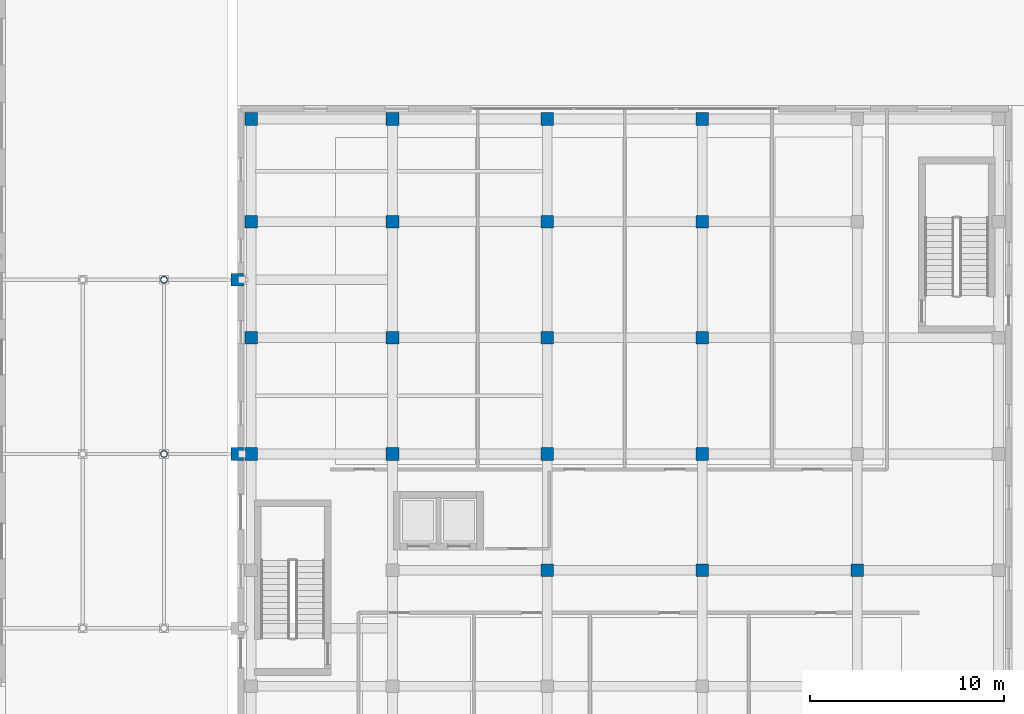
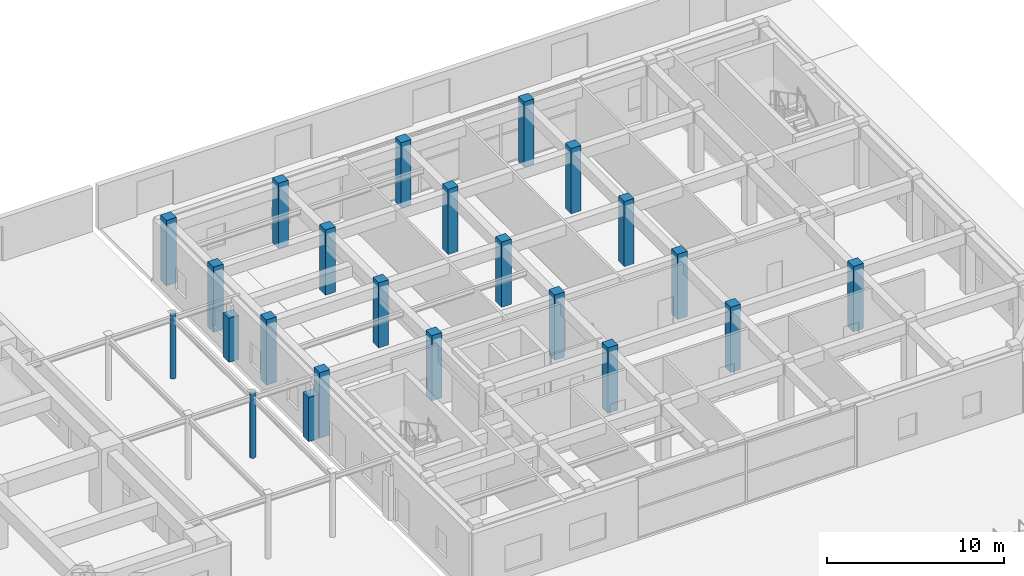
# One storey, part 6 of 39: 23 columns.
"""IFC4 building model written with IfcOpenShell, lengths in metres."""

from ifc_helpers import new_model, si_unit, direction, frame, origin, origin_2d, place, context, subcontext, project, spatial, rectangle, hollow_circle, extrude, source, transform, mapped, material, material_profile, profile_set, type_object, element, save


model = new_model("IFC4")

# Units and contexts
model_context = context("Model", 3, precision=1e-05, world=origin(), true_north=direction((0.0, 1.0)))
body_context = subcontext(model_context, "Body", "Model", "MODEL_VIEW")
ifc_project = project(units=[si_unit("LENGTHUNIT", "METRE"), si_unit("AREAUNIT", "SQUARE_METRE"), si_unit("VOLUMEUNIT", "CUBIC_METRE"), si_unit("PLANEANGLEUNIT", "RADIAN"), si_unit("MASSUNIT", "GRAM", prefix="KILO")], contexts=[model_context])

# Site, building, storey
site_placement = place(None, origin())
site = spatial("IfcSite", under=ifc_project, at=site_placement, CompositionType="ELEMENT")
building_placement = place(site_placement, origin())
building = spatial("IfcBuilding", under=site, at=building_placement, Name="Khoralis Quay Care Tower", CompositionType="ELEMENT")
storey_placement = place(building_placement, origin())
storey = spatial("IfcBuildingStorey", under=building, at=storey_placement, Name="L00", CompositionType="ELEMENT", Elevation=0.0)

# Columns
ifc_material_1 = material(Name="Steel S355", Category="steel")
ifc_material_profile_1 = material_profile(ifc_material_1, hollow_circle(Radius=0.177734375, WallThickness=0.01611328125, at=origin_2d()), Name="Steel S355")
ifc_profile_set_1 = profile_set([ifc_material_profile_1], Name="Steel S355")
column_type_1 = type_object("IfcColumnType", Name="COL-CN-CHS355", PredefinedType="COLUMN", material=ifc_profile_set_1)
shared_shape_1 = source(origin(), body_context, "Body", "SweptSolid", [
    extrude(hollow_circle(Radius=0.177734375, WallThickness=0.01611328125, at=origin_2d()), origin(), (0.0, 0.0, 1.0), 4.5),
])
for number, where, z_axis, x_axis, name in (
    (1, (64.199951171875, 24.0, 0.0), (0.0, 0.0, 1.0), (1.0, 0.0, 0.0), "COL-L00-CAN-05"),
    (2, (64.199951171875, 33.0, 0.0), (0.0, 0.0, 1.0), (1.0, 0.0, 0.0), "COL-L00-CAN-06"),
):
    element("IfcColumn", number, at=place(storey_placement, frame(where, z_axis=z_axis, x_axis=x_axis)), inside=storey, type_object=column_type_1, Name=name, PredefinedType="COLUMN", context=body_context, shape_type="MappedRepresentation", body=[
        mapped(shared_shape_1, transform((0.0, 0.0, 0.0), scale=1.0)),
    ])
ifc_material_2 = material(Name="Concrete C40/50", Category="concrete")
ifc_material_profile_2 = material_profile(ifc_material_2, rectangle(XDim=0.64990234375, YDim=0.64990234375, at=origin_2d()), Name="Concrete C40/50")
ifc_profile_set_2 = profile_set([ifc_material_profile_2], Name="Concrete C40/50")
column_type_2 = type_object("IfcColumnType", Name="COL-SC650", PredefinedType="COLUMN", material=ifc_profile_set_2)
shared_shape_2 = source(origin(), body_context, "Body", "SweptSolid", [
    extrude(rectangle(XDim=0.64990234375, YDim=0.64990234375, at=origin_2d()), origin(), (0.0, 0.0, 1.0), 3.050048828125),
])
for number, where, z_axis, x_axis, name in (
    (3, (67.97998046875, 24.0, 0.0), (0.0, 0.0, 1.0), (1.0, 0.0, 0.0), "Movement Joint Corbel Support Pier 2"),
    (4, (67.97998046875, 33.0, 0.0), (0.0, 0.0, 1.0), (1.0, 0.0, 0.0), "Movement Joint Corbel Support Pier 3"),
):
    element("IfcColumn", number, at=place(storey_placement, frame(where, z_axis=z_axis, x_axis=x_axis)), inside=storey, type_object=column_type_2, Name=name, PredefinedType="COLUMN", context=body_context, shape_type="MappedRepresentation", body=[
        mapped(shared_shape_2, transform((0.0, 0.0, 0.0), scale=1.0)),
    ])
shared_shape_3 = source(origin(), body_context, "Body", "SweptSolid", [
    extrude(rectangle(XDim=0.64990234375, YDim=0.64990234375, at=origin_2d()), origin(), (0.0, 0.0, 1.0), 4.5),
])
for number, where, z_axis, x_axis, name in (
    (5, (68.699951171875, 24.0, 0.0), (0.0, 0.0, 1.0), (1.0, 0.0, 0.0), "COL-SCH-L00-04"),
    (6, (68.699951171875, 30.0, 0.0), (0.0, 0.0, 1.0), (1.0, 0.0, 0.0), "COL-SCH-L00-05"),
    (7, (68.699951171875, 36.0, 0.0), (0.0, 0.0, 1.0), (1.0, 0.0, 0.0), "COL-SCH-L00-06"),
    (8, (68.699951171875, 41.300048828125, 0.0), (0.0, 0.0, 1.0), (1.0, 0.0, 0.0), "COL-SCH-L00-07"),
    (9, (76.0, 24.0, 0.0), (0.0, 0.0, 1.0), (1.0, 0.0, 0.0), "COL-SCH-L00-11"),
    (10, (76.0, 30.0, 0.0), (0.0, 0.0, 1.0), (1.0, 0.0, 0.0), "COL-SCH-L00-12"),
    (11, (76.0, 36.0, 0.0), (0.0, 0.0, 1.0), (1.0, 0.0, 0.0), "COL-SCH-L00-13"),
    (12, (76.0, 41.300048828125, 0.0), (0.0, 0.0, 1.0), (1.0, 0.0, 0.0), "COL-SCH-L00-14"),
    (13, (84.0, 18.0, 0.0), (0.0, 0.0, 1.0), (1.0, 0.0, 0.0), "COL-SCH-L00-17"),
    (14, (84.0, 24.0, 0.0), (0.0, 0.0, 1.0), (1.0, 0.0, 0.0), "COL-SCH-L00-18"),
    (15, (84.0, 30.0, 0.0), (0.0, 0.0, 1.0), (1.0, 0.0, 0.0), "COL-SCH-L00-19"),
    (16, (84.0, 36.0, 0.0), (0.0, 0.0, 1.0), (1.0, 0.0, 0.0), "COL-SCH-L00-20"),
    (17, (84.0, 41.300048828125, 0.0), (0.0, 0.0, 1.0), (1.0, 0.0, 0.0), "COL-SCH-L00-21"),
    (18, (92.0, 18.0, 0.0), (0.0, 0.0, 1.0), (1.0, 0.0, 0.0), "COL-SCH-L00-24"),
    (19, (92.0, 24.0, 0.0), (0.0, 0.0, 1.0), (1.0, 0.0, 0.0), "COL-SCH-L00-25"),
    (20, (92.0, 30.0, 0.0), (0.0, 0.0, 1.0), (1.0, 0.0, 0.0), "COL-SCH-L00-26"),
    (21, (92.0, 36.0, 0.0), (0.0, 0.0, 1.0), (1.0, 0.0, 0.0), "COL-SCH-L00-27"),
    (22, (92.0, 41.300048828125, 0.0), (0.0, 0.0, 1.0), (1.0, 0.0, 0.0), "COL-SCH-L00-28"),
    (23, (100.0, 18.0, 0.0), (0.0, 0.0, 1.0), (1.0, 0.0, 0.0), "COL-SCH-L00-31"),
):
    element("IfcColumn", number, at=place(storey_placement, frame(where, z_axis=z_axis, x_axis=x_axis)), inside=storey, type_object=column_type_2, Name=name, PredefinedType="COLUMN", context=body_context, shape_type="MappedRepresentation", body=[
        mapped(shared_shape_3, transform((0.0, 0.0, 0.0), scale=1.0)),
    ])

save(model, "model.ifc")
